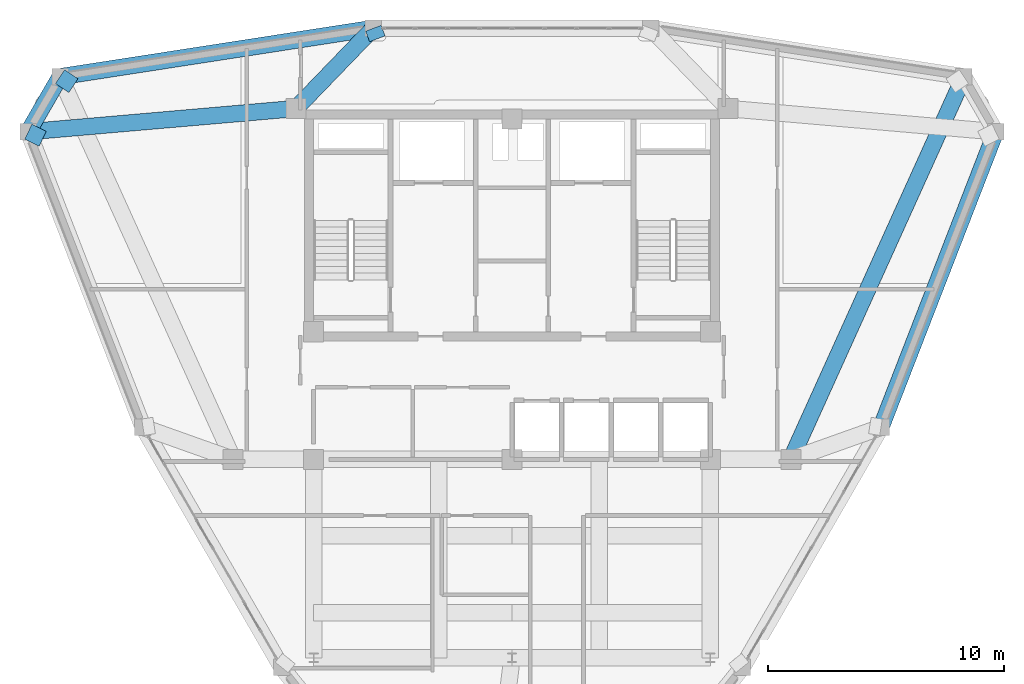
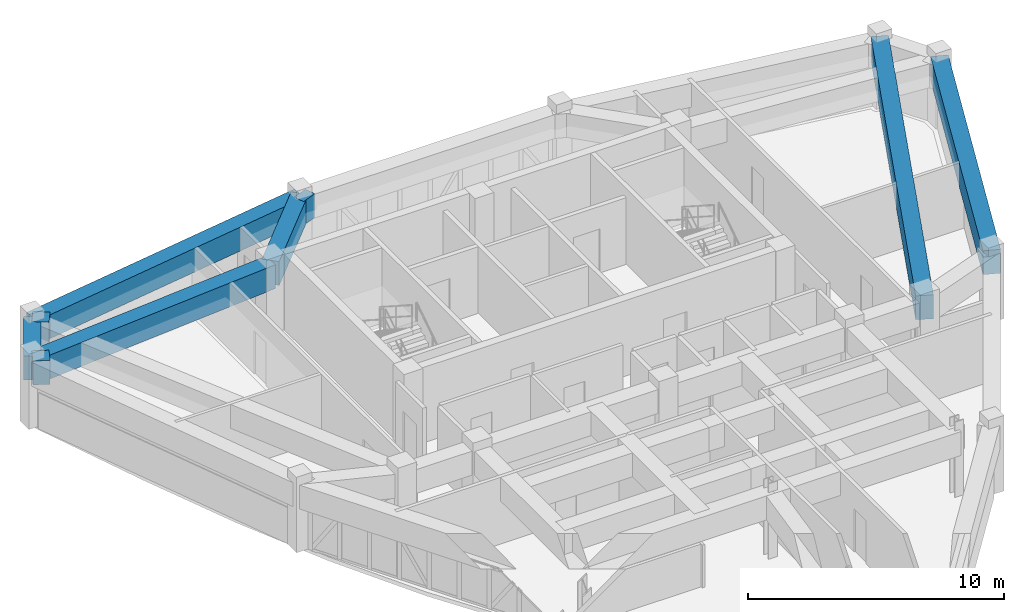
# One storey, part 8 of 14: 9 beams.
"""IFC4 building model written with IfcOpenShell, lengths in metres."""

from ifc_helpers import new_model, si_unit, derived_unit, direction, frame, origin, origin_2d, place, context, subcontext, project, spatial, rectangle, extrude, source, transform, mapped, material, material_profile, profile_set, type_object, element, save


model = new_model("IFC4")

# Units and contexts
model_context = context("Model", 3, precision=1e-05, world=origin(), true_north=direction((0.0, 1.0)))
body_context = subcontext(model_context, "Body", "Model", "MODEL_VIEW")
ifc_project = project(units=[si_unit("LENGTHUNIT", "METRE"), si_unit("AREAUNIT", "SQUARE_METRE"), si_unit("VOLUMEUNIT", "CUBIC_METRE"), si_unit("PLANEANGLEUNIT", "RADIAN"), si_unit("MASSUNIT", "GRAM", prefix="KILO"), derived_unit("THERMALTRANSMITTANCEUNIT", [(si_unit("POWERUNIT", "WATT"), 1), (si_unit("LENGTHUNIT", "METRE"), -2), (si_unit("THERMODYNAMICTEMPERATUREUNIT", "KELVIN"), -1)])], contexts=[model_context])

# Site, building, storey
site_placement = place(None, origin())
site = spatial("IfcSite", under=ifc_project, at=site_placement, CompositionType="ELEMENT")
building_placement = place(site_placement, origin())
building = spatial("IfcBuilding", under=site, at=building_placement, Name="Korsvarv Bourse and Concert Hall", CompositionType="ELEMENT")
storey_placement = place(building_placement, frame((0.0, 0.0, 271.800048828125)))
storey = spatial("IfcBuildingStorey", under=building, at=storey_placement, Name="L71", CompositionType="ELEMENT", Elevation=271.800048828125)

# Beams
ifc_material = material(Name="Concrete C50/60", Category="concrete")
ifc_material_profile = material_profile(ifc_material, rectangle(XDim=0.699951171875, YDim=1.139892578125, at=origin_2d()), Name="RC-BM 700x1140")
ifc_profile_set = profile_set([ifc_material_profile], Name="Concrete C50/60")
beam_type = type_object("IfcBeamType", Name="BM-TR-114", PredefinedType="BEAM", material=ifc_profile_set)
shared_shape_1 = source(origin(), body_context, "Body", "SweptSolid", [
    extrude(rectangle(XDim=0.699951171875, YDim=1.139892578125, at=origin_2d()), origin(), (0.0, 0.0, 1.0), 2.6923828125),
])
beam_1_placement = place(storey_placement, frame((16.8720703125, 48.597900390625, 2.60986328125), z_axis=(-0.500020738559, -0.86601343004, 0.0), x_axis=(0.86601343004, -0.500020738559, 0.0)))
element("IfcBeam", 1, at=beam_1_placement, inside=storey, type_object=beam_type, Name="L71 beam B-TR5", PredefinedType="BEAM", context=body_context, shape_type="MappedRepresentation", body=[
    mapped(shared_shape_1, transform((0.0, 0.0, 0.0), scale=1.0)),
])
shared_shape_2 = source(origin(), body_context, "Body", "SweptSolid", [
    extrude(rectangle(XDim=0.699951171875, YDim=1.139892578125, at=origin_2d()), origin(), (0.0, 0.0, 1.0), 13.416015625),
])
beam_2_placement = place(storey_placement, frame((30.130615234375, 50.646728515625, 2.60986328125), z_axis=(-0.988270074885, -0.152716269881, 0.0), x_axis=(0.152716269881, -0.988270074885, 0.0)))
element("IfcBeam", 2, at=beam_2_placement, inside=storey, type_object=beam_type, Name="L71 beam B-TR5", PredefinedType="BEAM", context=body_context, shape_type="MappedRepresentation", body=[
    mapped(shared_shape_2, transform((0.0, 0.0, 0.0), scale=1.0)),
])
shared_shape_3 = source(origin(), body_context, "Body", "SweptSolid", [
    extrude(rectangle(XDim=0.699951171875, YDim=1.139892578125, at=origin_2d()), origin(), (0.0, 0.0, 1.0), 13.415771484375),
])
beam_3_placement = place(storey_placement, frame((51.619140625, 33.759765625, 2.60986328125), z_axis=(0.361883280092, 0.932223412917, 0.0), x_axis=(-0.932223412917, 0.361883280092, 0.0)))
element("IfcBeam", 3, at=beam_3_placement, inside=storey, type_object=beam_type, Name="L71 beam B-TR5", PredefinedType="BEAM", context=body_context, shape_type="MappedRepresentation", body=[
    mapped(shared_shape_3, transform((0.0, 0.0, 0.0), scale=1.0)),
])
shared_shape_4 = source(origin(), body_context, "Body", "SweptSolid", [
    extrude(rectangle(XDim=0.699951171875, YDim=1.139892578125, at=origin_2d()), origin(), (0.0, 0.0, 1.0), 11.366943359375),
])
beam_4_placement = place(storey_placement, frame((15.52587890625, 46.266357421875, 2.60986328125), z_axis=(0.996248723785, 0.086536006126, 0.0), x_axis=(-0.086536006126, 0.996248723785, 0.0)))
element("IfcBeam", 4, at=beam_4_placement, inside=storey, type_object=beam_type, Name="L71 beam B-TR5", PredefinedType="BEAM", context=body_context, shape_type="MappedRepresentation", body=[
    mapped(shared_shape_4, transform((0.0, 0.0, 0.0), scale=1.0)),
])
shared_shape_5 = source(origin(), body_context, "Body", "SweptSolid", [
    extrude(rectangle(XDim=0.699951171875, YDim=1.139892578125, at=origin_2d()), origin(), (0.0, 0.0, 1.0), 17.7783203125),
])
beam_5_placement = place(storey_placement, frame((55.1279296875, 48.597900390625, 2.60986328125), z_axis=(-0.412177912252, -0.911103379783, 0.0), x_axis=(0.911103379783, -0.412177912252, 0.0)))
element("IfcBeam", 5, at=beam_5_placement, inside=storey, type_object=beam_type, Name="L71 beam B-TR5", PredefinedType="BEAM", context=body_context, shape_type="MappedRepresentation", body=[
    mapped(shared_shape_5, transform((0.0, 0.0, 0.0), scale=1.0)),
])
shared_shape_6 = source(origin(), body_context, "Body", "SweptSolid", [
    extrude(rectangle(XDim=0.699951171875, YDim=1.139892578125, at=origin_2d()), origin(), (0.0, 0.0, 1.0), 4.72216796875),
])
beam_6_placement = place(storey_placement, frame((30.130615234375, 50.646728515625, 2.60986328125), z_axis=(-0.694695075658, -0.71930435273, 0.0), x_axis=(0.71930435273, -0.694695075658, 0.0)))
element("IfcBeam", 6, at=beam_6_placement, inside=storey, type_object=beam_type, Name="L71 beam B-TR5", PredefinedType="BEAM", context=body_context, shape_type="MappedRepresentation", body=[
    mapped(shared_shape_6, transform((0.0, 0.0, 0.0), scale=1.0)),
])
shared_shape_7 = source(origin(), body_context, "Body", "SweptSolid", [
    extrude(rectangle(XDim=0.699951171875, YDim=1.139892578125, at=origin_2d()), origin(), (0.0, 0.0, 1.0), 0.679931640625),
])
beam_7_placement = place(storey_placement, frame((15.52587890625, 46.266357421875, 2.60986328125), z_axis=(0.898412695999, -0.439152169148, 0.0), x_axis=(0.439152169148, 0.898412695999, 0.0)))
element("IfcBeam", 7, at=beam_7_placement, inside=storey, type_object=beam_type, Name="L71 beam B-TR5", PredefinedType="BEAM", context=body_context, shape_type="MappedRepresentation", body=[
    mapped(shared_shape_7, transform((0.0, 0.0, 0.0), scale=1.0)),
])
shared_shape_8 = source(origin(), body_context, "Body", "SweptSolid", [
    extrude(rectangle(XDim=0.699951171875, YDim=1.139892578125, at=origin_2d()), origin(), (0.0, 0.0, 1.0), 0.6796875),
])
beam_8_placement = place(storey_placement, frame((16.8720703125, 48.597900390625, 2.60986328125), z_axis=(0.829443720355, -0.5585902924, 0.0), x_axis=(0.5585902924, 0.829443720355, 0.0)))
element("IfcBeam", 8, at=beam_8_placement, inside=storey, type_object=beam_type, Name="L71 beam B-TR5", PredefinedType="BEAM", context=body_context, shape_type="MappedRepresentation", body=[
    mapped(shared_shape_8, transform((0.0, 0.0, 0.0), scale=1.0)),
])
shared_shape_9 = source(origin(), body_context, "Body", "SweptSolid", [
    extrude(rectangle(XDim=0.699951171875, YDim=1.139892578125, at=origin_2d()), origin(), (0.0, 0.0, 1.0), 0.478271484375),
])
beam_9_placement = place(storey_placement, frame((30.130615234375, 50.646728515625, 2.60986328125), z_axis=(0.355761837825, -0.934576650012, 0.0), x_axis=(0.934576650012, 0.355761837825, 0.0)))
element("IfcBeam", 9, at=beam_9_placement, inside=storey, type_object=beam_type, Name="L71 beam B-TR5", PredefinedType="BEAM", context=body_context, shape_type="MappedRepresentation", body=[
    mapped(shared_shape_9, transform((0.0, 0.0, 0.0), scale=1.0)),
])

save(model, "model.ifc")
